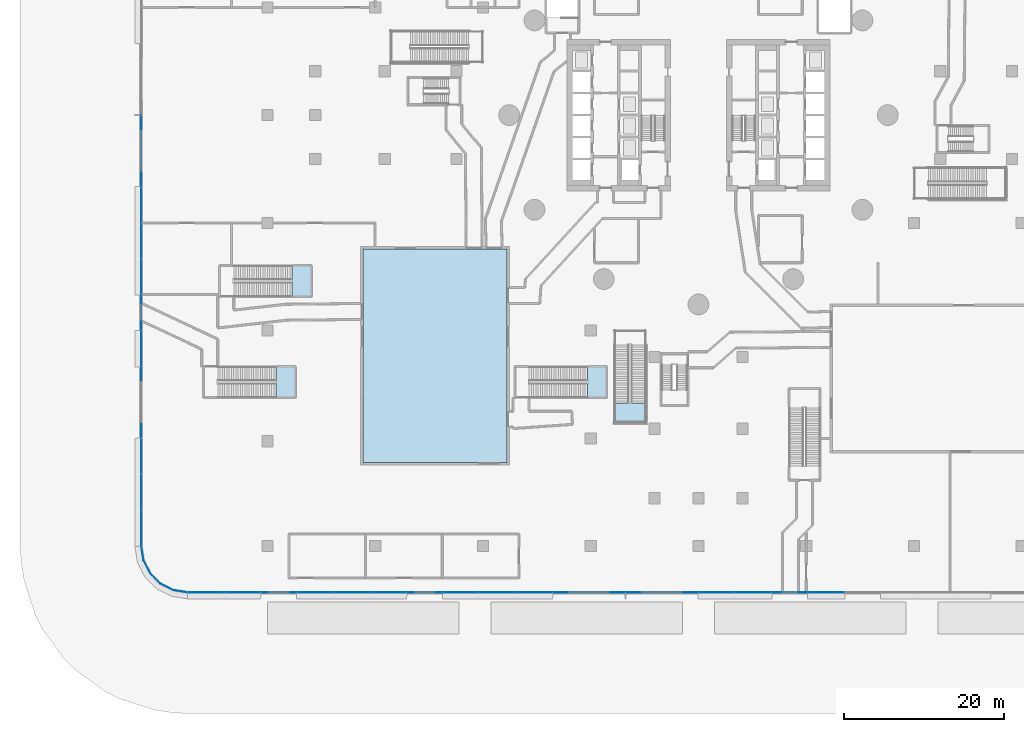
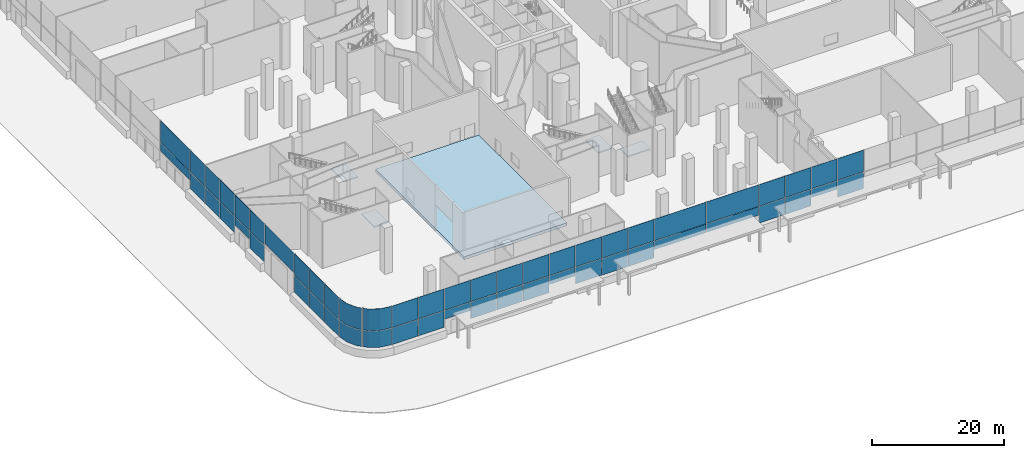
# One storey, part 16 of 54: 55 plates, 5 slabs, 7 elements without a shape of their own.
"""IFC4 building model written with IfcOpenShell, lengths in metres."""

import ifcopenshell
import ifcopenshell.guid

model = None  # the IFC model being written
_history = None  # IfcOwnerHistory: only IFC2X3 demands one
_inside = {}  # id of a spatial element -> (the spatial element, [elements in it])
_under = {}  # id of a project, library or spatial element -> (it, [spatial elements below it])
_declared = {}  # id of a project -> (the project, [libraries it declares])
_typed = {}  # id of a type object -> (the type object, [elements of that type])
_made_of = {}  # id of a material, layer set ... -> (it, [elements and type objects made of it])


def new_model(schema):
    """Start an empty IFC model of exactly this schema.

    Asked for "IFC4X3", IfcOpenShell would pick the latest addendum, in which some entities
    have other attributes; the version numbers below select the first issue.
    IFC2X3 requires an IfcOwnerHistory on every rooted entity: one is made here for all.
    """
    global model, _history
    if schema == "IFC4X3":
        model = ifcopenshell.file(schema_version=(4, 3, 0, 0))
    else:
        model = ifcopenshell.file(schema=schema)
    _inside.clear()
    _under.clear()
    _declared.clear()
    _typed.clear()
    _made_of.clear()
    _history = None
    if model.schema == "IFC2X3":
        org = make("IfcOrganization", Name="unknown")
        user = make(
            "IfcPersonAndOrganization",
            ThePerson=make("IfcPerson", FamilyName="unknown"),
            TheOrganization=org,
        )
        app = make(
            "IfcApplication",
            ApplicationDeveloper=org,
            Version="unknown",
            ApplicationFullName="unknown",
            ApplicationIdentifier="unknown",
        )
        _history = make(
            "IfcOwnerHistory",
            OwningUser=user,
            OwningApplication=app,
            ChangeAction="ADDED",
            CreationDate=0,
        )
    return model


def make(cls, **values):
    """One entity of the class cls with the attributes given. An attribute that is None is left unset."""
    return model.create_entity(
        cls, **{name: value for name, value in values.items() if value is not None}
    )


def rooted(cls, **values):
    """An entity with a GlobalId (a new one), such as an element, a storey or a relation."""
    return make(cls, GlobalId=ifcopenshell.guid.new(), OwnerHistory=_history, **values)


def si_unit(unit_type, name, prefix=None):
    """IfcSIUnit, for example si_unit("LENGTHUNIT", "METRE", prefix="MILLI")."""
    return make("IfcSIUnit", UnitType=unit_type, Prefix=prefix, Name=name)


def assignment(units):
    """IfcUnitAssignment: the units of a project."""
    return None if units is None else make("IfcUnitAssignment", Units=units)


def point(xyz):
    """IfcCartesianPoint."""
    return None if xyz is None else make("IfcCartesianPoint", Coordinates=xyz)


def direction(xyz):
    """IfcDirection."""
    return None if xyz is None else make("IfcDirection", DirectionRatios=xyz)


def frame(location, z_axis=None, x_axis=None):
    """IfcAxis2Placement3D, a coordinate frame: its origin and axes. An axis left out is left unset."""
    return make(
        "IfcAxis2Placement3D",
        Location=point(location),
        Axis=direction(z_axis),
        RefDirection=direction(x_axis),
    )


def origin():
    """The frame at (0, 0, 0) with its axes left unset."""
    return frame((0.0, 0.0, 0.0))


def place(relative_to, where):
    """IfcLocalPlacement: puts the frame where relative to a parent placement (None: the world)."""
    return make(
        "IfcLocalPlacement", PlacementRelTo=relative_to, RelativePlacement=where
    )


def context(
    kind, dimensions, precision=None, world=None, true_north=None, identifier=None
):
    """IfcGeometricRepresentationContext, for example the 3D "Model" context."""
    return make(
        "IfcGeometricRepresentationContext",
        ContextIdentifier=identifier,
        ContextType=kind,
        CoordinateSpaceDimension=dimensions,
        Precision=precision,
        WorldCoordinateSystem=world,
        TrueNorth=true_north,
    )


def subcontext(parent, identifier, kind, view, scale=None):
    """IfcGeometricRepresentationSubContext, for example "Body" below "Model"."""
    return make(
        "IfcGeometricRepresentationSubContext",
        ContextIdentifier=identifier,
        ContextType=kind,
        ParentContext=parent,
        TargetScale=scale,
        TargetView=view,
    )


def project(units=None, contexts=None):
    """IfcProject with its units and contexts."""
    return rooted(
        "IfcProject",
        Name="project",
        RepresentationContexts=contexts,
        UnitsInContext=assignment(units),
    )


def spatial(cls, under=None, at=None, **own):
    """A site, building, storey or space (cls), placed at a placement, below another one or the project."""
    s = rooted(cls, ObjectPlacement=at, **own)
    if under is not None:
        _under.setdefault(under.id(), (under, []))[1].append(s)
    return s


def polyline(points):
    """IfcPolyline through the points."""
    return make("IfcPolyline", Points=[point(p) for p in points])


def outline(outer, holes=None, kind="AREA"):
    """IfcArbitraryClosedProfileDef: a profile drawn as a closed curve; with holes, ...WithVoids."""
    if holes is None:
        return make("IfcArbitraryClosedProfileDef", ProfileType=kind, OuterCurve=outer)
    return make(
        "IfcArbitraryProfileDefWithVoids",
        ProfileType=kind,
        OuterCurve=outer,
        InnerCurves=holes,
    )


def extrude(swept, where, along, depth):
    """IfcExtrudedAreaSolid: the profile swept, set in the frame where, extruded along a direction by depth."""
    return make(
        "IfcExtrudedAreaSolid",
        SweptArea=swept,
        Position=where,
        ExtrudedDirection=direction(along),
        Depth=depth,
    )


def shape(context_of_items, identifier, shape_type, items):
    """IfcShapeRepresentation: the items that make up one representation, for example the "Body"."""
    return make(
        "IfcShapeRepresentation",
        ContextOfItems=context_of_items,
        RepresentationIdentifier=identifier,
        RepresentationType=shape_type,
        Items=items,
    )


def material(Name=None, Category=None):
    """IfcMaterial."""
    return make("IfcMaterial", Name=Name, Category=Category)


def layer(
    of_material, thickness, ventilated=None, Name=None, Category=None, Priority=None
):
    """IfcMaterialLayer: one layer of a wall or slab, of a material (None: an air gap)."""
    return make(
        "IfcMaterialLayer",
        Material=of_material,
        LayerThickness=thickness,
        IsVentilated=ventilated,
        Name=Name,
        Category=Category,
        Priority=Priority,
    )


def layer_set(layers, Name=None):
    """IfcMaterialLayerSet."""
    return make("IfcMaterialLayerSet", MaterialLayers=layers, LayerSetName=Name)


def made_of(thing, what):
    """Note that an element or type object is made of a material, layer set ...; save() writes the relation."""
    if what is not None:
        _made_of.setdefault(what.id(), (what, []))[1].append(thing)
    return thing


def type_object(cls, material=None, **own):
    """A type object (cls), such as IfcWallType, which elements share."""
    return made_of(rooted(cls, **own), material)


def element(
    cls,
    number,
    at=None,
    inside=None,
    cuts=None,
    type_object=None,
    material=None,
    context=None,
    identifier="Body",
    shape_type=None,
    held_by="IfcProductDefinitionShape",
    body=None,
    shapes=None,
    **own,
):
    """One element of the class cls, such as IfcWall. Its Tag is "e" and its number.

    at: its placement. inside: the storey or other place that contains it. cuts: it is an
    opening in that element (IfcRelVoidsElement). A single representation is given by context,
    identifier, shape_type and body (its items); several are given by shapes. held_by: the class
    of the entity that holds the representations. save() writes the other relations.
    """
    e = rooted(cls, Tag="e%d" % number, ObjectPlacement=at, **own)
    if body is not None:
        shapes = [shape(context, identifier, shape_type, body)]
    if shapes is not None:
        e.Representation = make(held_by, Representations=shapes)
    if inside is not None:
        _inside.setdefault(inside.id(), (inside, []))[1].append(e)
    if cuts is not None:
        rooted(
            "IfcRelVoidsElement", RelatingBuildingElement=cuts, RelatedOpeningElement=e
        )
    if type_object is not None:
        _typed.setdefault(type_object.id(), (type_object, []))[1].append(e)
    return made_of(e, material)


def aggregate(whole, parts):
    """IfcRelAggregates: a whole, such as a stair, and the parts it consists of."""
    return rooted("IfcRelAggregates", RelatingObject=whole, RelatedObjects=parts)


def save(model, path):
    """Write the relations noted so far, then the file.

    IfcRelAggregates (storeys below a building ...), IfcRelContainedInSpatialStructure (elements
    in a storey), IfcRelDefinesByType, IfcRelAssociatesMaterial and IfcRelDeclares: one each for
    every whole, place, type object, material and project.
    """
    for whole, parts in _under.values():
        aggregate(whole, parts)
    for where, things in _inside.values():
        rooted(
            "IfcRelContainedInSpatialStructure",
            RelatedElements=things,
            RelatingStructure=where,
        )
    for kind, things in _typed.values():
        rooted("IfcRelDefinesByType", RelatedObjects=things, RelatingType=kind)
    for what, things in _made_of.values():
        rooted("IfcRelAssociatesMaterial", RelatedObjects=things, RelatingMaterial=what)
    for by, libraries in _declared.values():
        rooted("IfcRelDeclares", RelatingContext=by, RelatedDefinitions=libraries)
    model.write(path)


model = new_model("IFC4")

# Units and contexts
model_context = context("Model", 3, precision=1e-05, world=origin(), true_north=direction((0.0, 1.0)))
body_context = subcontext(model_context, "Body", "Model", "MODEL_VIEW")
ifc_project = project(units=[si_unit("LENGTHUNIT", "METRE"), si_unit("AREAUNIT", "SQUARE_METRE"), si_unit("VOLUMEUNIT", "CUBIC_METRE"), si_unit("PLANEANGLEUNIT", "RADIAN"), si_unit("MASSUNIT", "GRAM", prefix="KILO")], contexts=[model_context])

# Site, building, storey
site_placement = place(None, origin())
site = spatial("IfcSite", under=ifc_project, at=site_placement, CompositionType="ELEMENT")
building_placement = place(site_placement, origin())
building = spatial("IfcBuilding", under=site, at=building_placement, Name="Tamarind Cross Interchange Tower", CompositionType="ELEMENT")
storey_placement = place(building_placement, origin())
storey = spatial("IfcBuildingStorey", under=building, at=storey_placement, Name="L00", CompositionType="ELEMENT", Elevation=0.0)

# Slab
ifc_material_1 = material(Name="Concrete C40", Category="concrete")
ifc_layer_1 = layer(ifc_material_1, 0.550048828125)
ifc_layer_set_1 = layer_set([ifc_layer_1], Name="Concrete C40")
slab_type_1 = type_object("IfcSlabType", Name="Post-tensioned flat slab 550 Concrete C40", PredefinedType="FLOOR", material=ifc_layer_set_1)
slab_1_placement = place(storey_placement, frame((0.0, 0.0, -0.550048828125)))
element("IfcSlab", 1, at=slab_1_placement, inside=storey, type_object=slab_type_1, Name="Fire court SW floor slab", PredefinedType="FLOOR", context=body_context, shape_type="SweptSolid", body=[
    extrude(outline(polyline([(-42.0, -43.5), (-24.0, -43.5), (-24.0, -16.800048828125), (-42.0, -16.800048828125), (-42.0, -43.5)])), origin(), (0.0, 0.0, 1.0), 0.550048828125),
])

# Stair, slab
ifc_material_2 = material(Name="Public stair")
stair_type = type_object("IfcStairType", Name="Public stair", PredefinedType="HALF_TURN_STAIR", material=ifc_material_2)
stair_1_placement = place(storey_placement, origin())
stair_1 = element("IfcStair", 2, at=stair_1_placement, inside=storey, type_object=stair_type, Name="L00 public stair PS-S", PredefinedType="HALF_TURN_STAIR")
ifc_layer_2 = layer(ifc_material_1, 0.199951171875)
ifc_layer_set_2 = layer_set([ifc_layer_2], Name="Concrete C40")
slab_type_2 = type_object("IfcSlabType", Name="Public stair landing", PredefinedType="LANDING", material=ifc_layer_set_2)
slab_2_placement = place(storey_placement, frame((0.0, 0.0, 4.300048828125)))
slab_2 = element("IfcSlab", 3, at=slab_2_placement, type_object=slab_type_2, Name="PS-S landing 1", PredefinedType="LANDING", context=body_context, shape_type="SweptSolid", body=[
    extrude(outline(polyline([(-10.5, -36.080078125), (-10.5, -38.5), (-6.60009765625, -38.5), (-6.60009765625, -36.080078125), (-10.5, -36.080078125)])), origin(), (0.0, 0.0, 1.0), 0.199951171875),
])
aggregate(stair_1, [slab_2])

stair_2_placement = place(storey_placement, origin())
stair_2 = element("IfcStair", 4, at=stair_2_placement, inside=storey, type_object=stair_type, Name="L00 exit stair XS-P07", PredefinedType="HALF_TURN_STAIR")
slab_3_placement = place(storey_placement, frame((0.0, 0.0, 4.300048828125)))
slab_3 = element("IfcSlab", 5, at=slab_3_placement, type_object=slab_type_2, Name="XS-P07 landing 1", PredefinedType="LANDING", context=body_context, shape_type="SweptSolid", body=[
    extrude(outline(polyline([(-52.919921875, -35.39990234375), (-50.5, -35.39990234375), (-50.5, -31.5), (-52.919921875, -31.5), (-52.919921875, -35.39990234375)])), origin(), (0.0, 0.0, 1.0), 0.199951171875),
])
aggregate(stair_2, [slab_3])

stair_3_placement = place(storey_placement, origin())
stair_3 = element("IfcStair", 6, at=stair_3_placement, inside=storey, type_object=stair_type, Name="L00 exit stair XS-P08", PredefinedType="HALF_TURN_STAIR")
slab_4_placement = place(storey_placement, frame((0.0, 0.0, 4.300048828125)))
slab_4 = element("IfcSlab", 7, at=slab_4_placement, type_object=slab_type_2, Name="XS-P08 landing 1", PredefinedType="LANDING", context=body_context, shape_type="SweptSolid", body=[
    extrude(outline(polyline([(-50.919921875, -22.75), (-48.5, -22.75), (-48.5, -18.85009765625), (-50.919921875, -18.85009765625), (-50.919921875, -22.75)])), origin(), (0.0, 0.0, 1.0), 0.199951171875),
])
aggregate(stair_3, [slab_4])

stair_4_placement = place(storey_placement, origin())
stair_4 = element("IfcStair", 8, at=stair_4_placement, inside=storey, type_object=stair_type, Name="L00 exit stair XS-P09", PredefinedType="HALF_TURN_STAIR")
slab_5_placement = place(storey_placement, frame((0.0, 0.0, 4.300048828125)))
slab_5 = element("IfcSlab", 9, at=slab_5_placement, type_object=slab_type_2, Name="XS-P09 landing 1", PredefinedType="LANDING", context=body_context, shape_type="SweptSolid", body=[
    extrude(outline(polyline([(-13.919921875, -35.39990234375), (-11.5, -35.39990234375), (-11.5, -31.5), (-13.919921875, -31.5), (-13.919921875, -35.39990234375)])), origin(), (0.0, 0.0, 1.0), 0.199951171875),
])
aggregate(stair_4, [slab_5])

# Curtain wall, plates
ifc_material_3 = material(Name="Aluminium 6063-T6", Category="aluminium")
ifc_layer_3 = layer(ifc_material_3, 0.199951171875)
ifc_layer_set_3 = layer_set([ifc_layer_3], Name="Aluminium 6063-T6")
curtain_wall_type = type_object("IfcCurtainWallType", Name="Podium shopfront and station curtain wall", PredefinedType="NOTDEFINED", material=ifc_layer_set_3)
curtain_wall_1_placement = place(storey_placement, origin())
curtain_wall_1 = element("IfcCurtainWall", 10, at=curtain_wall_1_placement, inside=storey, type_object=curtain_wall_type, Name="CWS-L00-04", PredefinedType="NOTDEFINED")
ifc_material_4 = material(Name="Toughened low-e glass 10+12+10", Category="glass")
ifc_layer_4 = layer(ifc_material_4, 0.031982421875)
ifc_layer_set_4 = layer_set([ifc_layer_4], Name="Toughened low-e glass 10+12+10")
plate_type = type_object("IfcPlateType", Name="Vision panel CW3", PredefinedType="CURTAIN_PANEL", material=ifc_layer_set_4)
plate_1_placement = place(storey_placement, frame((0.0, 0.0, 2.89990234375)))
plate_1 = element("IfcPlate", 11, at=plate_1_placement, type_object=plate_type, Name="CWP-L00-04-12-0", PredefinedType="CURTAIN_PANEL", context=body_context, shape_type="SweptSolid", body=[
    extrude(outline(polyline([(-69.783935546875, -0.0400390625), (-69.783935546875, -8.957275390625), (-69.81591796875, -8.957275390625), (-69.81591796875, -0.0400390625), (-69.783935546875, -0.0400390625)])), origin(), (0.0, 0.0, 1.0), 1.570068359375),
])
plate_2_placement = place(storey_placement, frame((0.0, 0.0, 4.530029296875)))
plate_2 = element("IfcPlate", 12, at=plate_2_placement, type_object=plate_type, Name="CWP-L00-04-12-1", PredefinedType="CURTAIN_PANEL", context=body_context, shape_type="SweptSolid", body=[
    extrude(outline(polyline([(-69.783935546875, -0.0400390625), (-69.783935546875, -8.957275390625), (-69.81591796875, -8.957275390625), (-69.81591796875, -0.0400390625), (-69.783935546875, -0.0400390625)])), origin(), (0.0, 0.0, 1.0), 3.969970703125),
])
plate_3_placement = place(storey_placement, frame((0.0, 0.0, 1.39990234375)))
plate_3 = element("IfcPlate", 13, at=plate_3_placement, type_object=plate_type, Name="CWP-L00-04-14-0", PredefinedType="CURTAIN_PANEL", context=body_context, shape_type="SweptSolid", body=[
    extrude(outline(polyline([(-69.783935546875, -9.037353515625), (-69.783935546875, -13.4560546875), (-69.81591796875, -13.4560546875), (-69.81591796875, -9.037353515625), (-69.783935546875, -9.037353515625)])), origin(), (0.0, 0.0, 1.0), 3.070068359375),
])
plate_4_placement = place(storey_placement, frame((0.0, 0.0, 4.530029296875)))
plate_4 = element("IfcPlate", 14, at=plate_4_placement, type_object=plate_type, Name="CWP-L00-04-14-1", PredefinedType="CURTAIN_PANEL", context=body_context, shape_type="SweptSolid", body=[
    extrude(outline(polyline([(-69.783935546875, -9.037353515625), (-69.783935546875, -13.4560546875), (-69.81591796875, -13.4560546875), (-69.81591796875, -9.037353515625), (-69.783935546875, -9.037353515625)])), origin(), (0.0, 0.0, 1.0), 3.969970703125),
])
plate_5_placement = place(storey_placement, frame((0.0, 0.0, 1.39990234375)))
plate_5 = element("IfcPlate", 15, at=plate_5_placement, type_object=plate_type, Name="CWP-L00-04-15-0", PredefinedType="CURTAIN_PANEL", context=body_context, shape_type="SweptSolid", body=[
    extrude(outline(polyline([(-69.783935546875, -13.5361328125), (-69.783935546875, -17.954833984375), (-69.81591796875, -17.954833984375), (-69.81591796875, -13.5361328125), (-69.783935546875, -13.5361328125)])), origin(), (0.0, 0.0, 1.0), 3.070068359375),
])
plate_6_placement = place(storey_placement, frame((0.0, 0.0, 4.530029296875)))
plate_6 = element("IfcPlate", 16, at=plate_6_placement, type_object=plate_type, Name="CWP-L00-04-15-1", PredefinedType="CURTAIN_PANEL", context=body_context, shape_type="SweptSolid", body=[
    extrude(outline(polyline([(-69.783935546875, -13.5361328125), (-69.783935546875, -17.954833984375), (-69.81591796875, -17.954833984375), (-69.81591796875, -13.5361328125), (-69.783935546875, -13.5361328125)])), origin(), (0.0, 0.0, 1.0), 3.969970703125),
])
plate_7_placement = place(storey_placement, frame((0.0, 0.0, 1.39990234375)))
plate_7 = element("IfcPlate", 17, at=plate_7_placement, type_object=plate_type, Name="CWP-L00-04-16-0", PredefinedType="CURTAIN_PANEL", context=body_context, shape_type="SweptSolid", body=[
    extrude(outline(polyline([(-69.783935546875, -18.03466796875), (-69.783935546875, -22.453369140625), (-69.81591796875, -22.453369140625), (-69.81591796875, -18.03466796875), (-69.783935546875, -18.03466796875)])), origin(), (0.0, 0.0, 1.0), 3.070068359375),
])
plate_8_placement = place(storey_placement, frame((0.0, 0.0, 4.530029296875)))
plate_8 = element("IfcPlate", 18, at=plate_8_placement, type_object=plate_type, Name="CWP-L00-04-16-1", PredefinedType="CURTAIN_PANEL", context=body_context, shape_type="SweptSolid", body=[
    extrude(outline(polyline([(-69.783935546875, -18.03466796875), (-69.783935546875, -22.453369140625), (-69.81591796875, -22.453369140625), (-69.81591796875, -18.03466796875), (-69.783935546875, -18.03466796875)])), origin(), (0.0, 0.0, 1.0), 3.969970703125),
])
plate_9_placement = place(storey_placement, frame((0.0, 0.0, 2.89990234375)))
plate_9 = element("IfcPlate", 19, at=plate_9_placement, type_object=plate_type, Name="CWP-L00-04-17-0", PredefinedType="CURTAIN_PANEL", context=body_context, shape_type="SweptSolid", body=[
    extrude(outline(polyline([(-69.783935546875, -22.533447265625), (-69.783935546875, -26.9521484375), (-69.81591796875, -26.9521484375), (-69.81591796875, -22.533447265625), (-69.783935546875, -22.533447265625)])), origin(), (0.0, 0.0, 1.0), 1.570068359375),
])
plate_10_placement = place(storey_placement, frame((0.0, 0.0, 4.530029296875)))
plate_10 = element("IfcPlate", 20, at=plate_10_placement, type_object=plate_type, Name="CWP-L00-04-17-1", PredefinedType="CURTAIN_PANEL", context=body_context, shape_type="SweptSolid", body=[
    extrude(outline(polyline([(-69.783935546875, -22.533447265625), (-69.783935546875, -26.9521484375), (-69.81591796875, -26.9521484375), (-69.81591796875, -22.533447265625), (-69.783935546875, -22.533447265625)])), origin(), (0.0, 0.0, 1.0), 3.969970703125),
])
plate_11_placement = place(storey_placement, frame((0.0, 0.0, 1.39990234375)))
plate_11 = element("IfcPlate", 21, at=plate_11_placement, type_object=plate_type, Name="CWP-L00-04-18-0", PredefinedType="CURTAIN_PANEL", context=body_context, shape_type="SweptSolid", body=[
    extrude(outline(polyline([(-69.783935546875, -27.0322265625), (-69.783935546875, -31.450927734375), (-69.81591796875, -31.450927734375), (-69.81591796875, -27.0322265625), (-69.783935546875, -27.0322265625)])), origin(), (0.0, 0.0, 1.0), 3.070068359375),
])
plate_12_placement = place(storey_placement, frame((0.0, 0.0, 4.530029296875)))
plate_12 = element("IfcPlate", 22, at=plate_12_placement, type_object=plate_type, Name="CWP-L00-04-18-1", PredefinedType="CURTAIN_PANEL", context=body_context, shape_type="SweptSolid", body=[
    extrude(outline(polyline([(-69.783935546875, -27.0322265625), (-69.783935546875, -31.450927734375), (-69.81591796875, -31.450927734375), (-69.81591796875, -27.0322265625), (-69.783935546875, -27.0322265625)])), origin(), (0.0, 0.0, 1.0), 3.969970703125),
])
plate_13_placement = place(storey_placement, frame((0.0, 0.0, 4.89990234375)))
plate_13 = element("IfcPlate", 23, at=plate_13_placement, type_object=plate_type, Name="CWP-L00-04-19", PredefinedType="CURTAIN_PANEL", context=body_context, shape_type="SweptSolid", body=[
    extrude(outline(polyline([(-69.783935546875, -31.53076171875), (-69.783935546875, -40.4482421875), (-69.81591796875, -40.4482421875), (-69.81591796875, -31.53076171875), (-69.783935546875, -31.53076171875)])), origin(), (0.0, 0.0, 1.0), 3.60009765625),
])
plate_14_placement = place(storey_placement, frame((0.0, 0.0, 1.39990234375)))
plate_14 = element("IfcPlate", 24, at=plate_14_placement, type_object=plate_type, Name="CWP-L00-04-21-0", PredefinedType="CURTAIN_PANEL", context=body_context, shape_type="SweptSolid", body=[
    extrude(outline(polyline([(-69.783935546875, -40.528076171875), (-69.783935546875, -44.94677734375), (-69.81591796875, -44.94677734375), (-69.81591796875, -40.528076171875), (-69.783935546875, -40.528076171875)])), origin(), (0.0, 0.0, 1.0), 3.070068359375),
])
plate_15_placement = place(storey_placement, frame((0.0, 0.0, 4.530029296875)))
plate_15 = element("IfcPlate", 25, at=plate_15_placement, type_object=plate_type, Name="CWP-L00-04-21-1", PredefinedType="CURTAIN_PANEL", context=body_context, shape_type="SweptSolid", body=[
    extrude(outline(polyline([(-69.783935546875, -40.528076171875), (-69.783935546875, -44.94677734375), (-69.81591796875, -44.94677734375), (-69.81591796875, -40.528076171875), (-69.783935546875, -40.528076171875)])), origin(), (0.0, 0.0, 1.0), 3.969970703125),
])
plate_16_placement = place(storey_placement, frame((0.0, 0.0, 1.39990234375)))
plate_16 = element("IfcPlate", 26, at=plate_16_placement, type_object=plate_type, Name="CWP-L00-04-22-0", PredefinedType="CURTAIN_PANEL", context=body_context, shape_type="SweptSolid", body=[
    extrude(outline(polyline([(-69.783935546875, -45.02685546875), (-69.783935546875, -49.445556640625), (-69.81591796875, -49.445556640625), (-69.81591796875, -45.02685546875), (-69.783935546875, -45.02685546875)])), origin(), (0.0, 0.0, 1.0), 3.070068359375),
])
plate_17_placement = place(storey_placement, frame((0.0, 0.0, 4.530029296875)))
plate_17 = element("IfcPlate", 27, at=plate_17_placement, type_object=plate_type, Name="CWP-L00-04-22-1", PredefinedType="CURTAIN_PANEL", context=body_context, shape_type="SweptSolid", body=[
    extrude(outline(polyline([(-69.783935546875, -45.02685546875), (-69.783935546875, -49.445556640625), (-69.81591796875, -49.445556640625), (-69.81591796875, -45.02685546875), (-69.783935546875, -45.02685546875)])), origin(), (0.0, 0.0, 1.0), 3.969970703125),
])
plate_18_placement = place(storey_placement, frame((0.0, 0.0, 1.39990234375)))
plate_18 = element("IfcPlate", 28, at=plate_18_placement, type_object=plate_type, Name="CWP-L00-04-23-0", PredefinedType="CURTAIN_PANEL", context=body_context, shape_type="SweptSolid", body=[
    extrude(outline(polyline([(-69.783935546875, -49.525634765625), (-69.783935546875, -53.9443359375), (-69.81591796875, -53.9443359375), (-69.81591796875, -49.525634765625), (-69.783935546875, -49.525634765625)])), origin(), (0.0, 0.0, 1.0), 3.070068359375),
])
plate_19_placement = place(storey_placement, frame((0.0, 0.0, 4.530029296875)))
plate_19 = element("IfcPlate", 29, at=plate_19_placement, type_object=plate_type, Name="CWP-L00-04-23-1", PredefinedType="CURTAIN_PANEL", context=body_context, shape_type="SweptSolid", body=[
    extrude(outline(polyline([(-69.783935546875, -49.525634765625), (-69.783935546875, -53.9443359375), (-69.81591796875, -53.9443359375), (-69.81591796875, -49.525634765625), (-69.783935546875, -49.525634765625)])), origin(), (0.0, 0.0, 1.0), 3.969970703125),
])
aggregate(curtain_wall_1, [plate_1, plate_2, plate_3, plate_4, plate_5, plate_6, plate_7, plate_8, plate_9, plate_10, plate_11, plate_12, plate_13, plate_14, plate_15, plate_16, plate_17, plate_18, plate_19])

curtain_wall_2_placement = place(storey_placement, origin())
curtain_wall_2 = element("IfcCurtainWall", 30, at=curtain_wall_2_placement, inside=storey, type_object=curtain_wall_type, Name="CWS-L00-05", PredefinedType="NOTDEFINED")
plate_20_placement = place(storey_placement, frame((0.0, 0.0, 1.39990234375)))
plate_20 = element("IfcPlate", 31, at=plate_20_placement, type_object=plate_type, Name="CWP-L00-05-00-0", PredefinedType="CURTAIN_PANEL", context=body_context, shape_type="SweptSolid", body=[
    extrude(outline(polyline([(-69.77783203125, -54.021240234375), (-69.498291015625, -55.78662109375), (-68.67724609375, -57.398193359375), (-68.06591796875, -58.00927734375), (-68.088623046875, -58.031982421875), (-68.703369140625, -57.417236328125), (-69.529052734375, -55.796630859375), (-69.8095703125, -54.0263671875), (-69.77783203125, -54.021240234375)])), origin(), (0.0, 0.0, 1.0), 3.070068359375),
])
plate_21_placement = place(storey_placement, frame((0.0, 0.0, 4.530029296875)))
plate_21 = element("IfcPlate", 32, at=plate_21_placement, type_object=plate_type, Name="CWP-L00-05-00-1", PredefinedType="CURTAIN_PANEL", context=body_context, shape_type="SweptSolid", body=[
    extrude(outline(polyline([(-69.77783203125, -54.021240234375), (-69.498291015625, -55.78662109375), (-68.67724609375, -57.398193359375), (-68.06591796875, -58.00927734375), (-68.088623046875, -58.031982421875), (-68.703369140625, -57.417236328125), (-69.529052734375, -55.796630859375), (-69.8095703125, -54.0263671875), (-69.77783203125, -54.021240234375)])), origin(), (0.0, 0.0, 1.0), 3.969970703125),
])
plate_22_placement = place(storey_placement, frame((0.0, 0.0, 1.39990234375)))
plate_22 = element("IfcPlate", 33, at=plate_22_placement, type_object=plate_type, Name="CWP-L00-05-01-0", PredefinedType="CURTAIN_PANEL", context=body_context, shape_type="SweptSolid", body=[
    extrude(outline(polyline([(-68.00927734375, -58.06591796875), (-67.398193359375, -58.67724609375), (-65.78662109375, -59.498291015625), (-64.021240234375, -59.77783203125), (-64.0263671875, -59.8095703125), (-65.796630859375, -59.529052734375), (-67.417236328125, -58.703369140625), (-68.031982421875, -58.088623046875), (-68.00927734375, -58.06591796875)])), origin(), (0.0, 0.0, 1.0), 3.070068359375),
])
plate_23_placement = place(storey_placement, frame((0.0, 0.0, 4.530029296875)))
plate_23 = element("IfcPlate", 34, at=plate_23_placement, type_object=plate_type, Name="CWP-L00-05-01-1", PredefinedType="CURTAIN_PANEL", context=body_context, shape_type="SweptSolid", body=[
    extrude(outline(polyline([(-68.00927734375, -58.06591796875), (-67.398193359375, -58.67724609375), (-65.78662109375, -59.498291015625), (-64.021240234375, -59.77783203125), (-64.0263671875, -59.8095703125), (-65.796630859375, -59.529052734375), (-67.417236328125, -58.703369140625), (-68.031982421875, -58.088623046875), (-68.00927734375, -58.06591796875)])), origin(), (0.0, 0.0, 1.0), 3.969970703125),
])
aggregate(curtain_wall_2, [plate_20, plate_21, plate_22, plate_23])

curtain_wall_3_placement = place(storey_placement, origin())
curtain_wall_3 = element("IfcCurtainWall", 35, at=curtain_wall_3_placement, inside=storey, type_object=curtain_wall_type, Name="CWS-L00-06", PredefinedType="NOTDEFINED")
plate_24_placement = place(storey_placement, frame((0.0, 0.0, 1.39990234375)))
plate_24 = element("IfcPlate", 36, at=plate_24_placement, type_object=plate_type, Name="CWP-L00-06-00-0", PredefinedType="CURTAIN_PANEL", context=body_context, shape_type="SweptSolid", body=[
    extrude(outline(polyline([(-63.9443359375, -59.783935546875), (-59.453857421875, -59.783935546875), (-59.453857421875, -59.81591796875), (-63.9443359375, -59.81591796875), (-63.9443359375, -59.783935546875)])), origin(), (0.0, 0.0, 1.0), 3.070068359375),
])
plate_25_placement = place(storey_placement, frame((0.0, 0.0, 4.530029296875)))
plate_25 = element("IfcPlate", 37, at=plate_25_placement, type_object=plate_type, Name="CWP-L00-06-00-1", PredefinedType="CURTAIN_PANEL", context=body_context, shape_type="SweptSolid", body=[
    extrude(outline(polyline([(-63.9443359375, -59.783935546875), (-59.453857421875, -59.783935546875), (-59.453857421875, -59.81591796875), (-63.9443359375, -59.81591796875), (-63.9443359375, -59.783935546875)])), origin(), (0.0, 0.0, 1.0), 3.969970703125),
])
plate_26_placement = place(storey_placement, frame((0.0, 0.0, 1.39990234375)))
plate_26 = element("IfcPlate", 38, at=plate_26_placement, type_object=plate_type, Name="CWP-L00-06-01-0", PredefinedType="CURTAIN_PANEL", context=body_context, shape_type="SweptSolid", body=[
    extrude(outline(polyline([(-59.3740234375, -59.783935546875), (-54.883544921875, -59.783935546875), (-54.883544921875, -59.81591796875), (-59.3740234375, -59.81591796875), (-59.3740234375, -59.783935546875)])), origin(), (0.0, 0.0, 1.0), 3.070068359375),
])
plate_27_placement = place(storey_placement, frame((0.0, 0.0, 4.530029296875)))
plate_27 = element("IfcPlate", 39, at=plate_27_placement, type_object=plate_type, Name="CWP-L00-06-01-1", PredefinedType="CURTAIN_PANEL", context=body_context, shape_type="SweptSolid", body=[
    extrude(outline(polyline([(-59.3740234375, -59.783935546875), (-54.883544921875, -59.783935546875), (-54.883544921875, -59.81591796875), (-59.3740234375, -59.81591796875), (-59.3740234375, -59.783935546875)])), origin(), (0.0, 0.0, 1.0), 3.969970703125),
])
plate_28_placement = place(storey_placement, frame((0.0, 0.0, 2.89990234375)))
plate_28 = element("IfcPlate", 40, at=plate_28_placement, type_object=plate_type, Name="CWP-L00-06-02-0", PredefinedType="CURTAIN_PANEL", context=body_context, shape_type="SweptSolid", body=[
    extrude(outline(polyline([(-54.8037109375, -59.783935546875), (-50.313232421875, -59.783935546875), (-50.313232421875, -59.81591796875), (-54.8037109375, -59.81591796875), (-54.8037109375, -59.783935546875)])), origin(), (0.0, 0.0, 1.0), 1.570068359375),
])
plate_29_placement = place(storey_placement, frame((0.0, 0.0, 4.530029296875)))
plate_29 = element("IfcPlate", 41, at=plate_29_placement, type_object=plate_type, Name="CWP-L00-06-02-1", PredefinedType="CURTAIN_PANEL", context=body_context, shape_type="SweptSolid", body=[
    extrude(outline(polyline([(-54.8037109375, -59.783935546875), (-50.313232421875, -59.783935546875), (-50.313232421875, -59.81591796875), (-54.8037109375, -59.81591796875), (-54.8037109375, -59.783935546875)])), origin(), (0.0, 0.0, 1.0), 3.969970703125),
])
plate_30_placement = place(storey_placement, frame((0.0, 0.0, 1.39990234375)))
plate_30 = element("IfcPlate", 42, at=plate_30_placement, type_object=plate_type, Name="CWP-L00-06-03-0", PredefinedType="CURTAIN_PANEL", context=body_context, shape_type="SweptSolid", body=[
    extrude(outline(polyline([(-50.2333984375, -59.783935546875), (-45.7431640625, -59.783935546875), (-45.7431640625, -59.81591796875), (-50.2333984375, -59.81591796875), (-50.2333984375, -59.783935546875)])), origin(), (0.0, 0.0, 1.0), 3.070068359375),
])
plate_31_placement = place(storey_placement, frame((0.0, 0.0, 4.530029296875)))
plate_31 = element("IfcPlate", 43, at=plate_31_placement, type_object=plate_type, Name="CWP-L00-06-03-1", PredefinedType="CURTAIN_PANEL", context=body_context, shape_type="SweptSolid", body=[
    extrude(outline(polyline([(-50.2333984375, -59.783935546875), (-45.7431640625, -59.783935546875), (-45.7431640625, -59.81591796875), (-50.2333984375, -59.81591796875), (-50.2333984375, -59.783935546875)])), origin(), (0.0, 0.0, 1.0), 3.969970703125),
])
plate_32_placement = place(storey_placement, frame((0.0, 0.0, 1.39990234375)))
plate_32 = element("IfcPlate", 44, at=plate_32_placement, type_object=plate_type, Name="CWP-L00-06-04-0", PredefinedType="CURTAIN_PANEL", context=body_context, shape_type="SweptSolid", body=[
    extrude(outline(polyline([(-45.6630859375, -59.783935546875), (-41.1728515625, -59.783935546875), (-41.1728515625, -59.81591796875), (-45.6630859375, -59.81591796875), (-45.6630859375, -59.783935546875)])), origin(), (0.0, 0.0, 1.0), 3.070068359375),
])
plate_33_placement = place(storey_placement, frame((0.0, 0.0, 4.530029296875)))
plate_33 = element("IfcPlate", 45, at=plate_33_placement, type_object=plate_type, Name="CWP-L00-06-04-1", PredefinedType="CURTAIN_PANEL", context=body_context, shape_type="SweptSolid", body=[
    extrude(outline(polyline([(-45.6630859375, -59.783935546875), (-41.1728515625, -59.783935546875), (-41.1728515625, -59.81591796875), (-45.6630859375, -59.81591796875), (-45.6630859375, -59.783935546875)])), origin(), (0.0, 0.0, 1.0), 3.969970703125),
])
plate_34_placement = place(storey_placement, frame((0.0, 0.0, 1.39990234375)))
plate_34 = element("IfcPlate", 46, at=plate_34_placement, type_object=plate_type, Name="CWP-L00-06-05-0", PredefinedType="CURTAIN_PANEL", context=body_context, shape_type="SweptSolid", body=[
    extrude(outline(polyline([(-41.0927734375, -59.783935546875), (-36.6025390625, -59.783935546875), (-36.6025390625, -59.81591796875), (-41.0927734375, -59.81591796875), (-41.0927734375, -59.783935546875)])), origin(), (0.0, 0.0, 1.0), 3.070068359375),
])
plate_35_placement = place(storey_placement, frame((0.0, 0.0, 4.530029296875)))
plate_35 = element("IfcPlate", 47, at=plate_35_placement, type_object=plate_type, Name="CWP-L00-06-05-1", PredefinedType="CURTAIN_PANEL", context=body_context, shape_type="SweptSolid", body=[
    extrude(outline(polyline([(-41.0927734375, -59.783935546875), (-36.6025390625, -59.783935546875), (-36.6025390625, -59.81591796875), (-41.0927734375, -59.81591796875), (-41.0927734375, -59.783935546875)])), origin(), (0.0, 0.0, 1.0), 3.969970703125),
])
plate_36_placement = place(storey_placement, frame((0.0, 0.0, 2.89990234375)))
plate_36 = element("IfcPlate", 48, at=plate_36_placement, type_object=plate_type, Name="CWP-L00-06-06-0", PredefinedType="CURTAIN_PANEL", context=body_context, shape_type="SweptSolid", body=[
    extrude(outline(polyline([(-36.5224609375, -59.783935546875), (-32.0322265625, -59.783935546875), (-32.0322265625, -59.81591796875), (-36.5224609375, -59.81591796875), (-36.5224609375, -59.783935546875)])), origin(), (0.0, 0.0, 1.0), 1.570068359375),
])
plate_37_placement = place(storey_placement, frame((0.0, 0.0, 4.530029296875)))
plate_37 = element("IfcPlate", 49, at=plate_37_placement, type_object=plate_type, Name="CWP-L00-06-06-1", PredefinedType="CURTAIN_PANEL", context=body_context, shape_type="SweptSolid", body=[
    extrude(outline(polyline([(-36.5224609375, -59.783935546875), (-32.0322265625, -59.783935546875), (-32.0322265625, -59.81591796875), (-36.5224609375, -59.81591796875), (-36.5224609375, -59.783935546875)])), origin(), (0.0, 0.0, 1.0), 3.969970703125),
])
plate_38_placement = place(storey_placement, frame((0.0, 0.0, 1.39990234375)))
plate_38 = element("IfcPlate", 50, at=plate_38_placement, type_object=plate_type, Name="CWP-L00-06-07-0", PredefinedType="CURTAIN_PANEL", context=body_context, shape_type="SweptSolid", body=[
    extrude(outline(polyline([(-31.9521484375, -59.783935546875), (-27.4619140625, -59.783935546875), (-27.4619140625, -59.81591796875), (-31.9521484375, -59.81591796875), (-31.9521484375, -59.783935546875)])), origin(), (0.0, 0.0, 1.0), 3.070068359375),
])
plate_39_placement = place(storey_placement, frame((0.0, 0.0, 4.530029296875)))
plate_39 = element("IfcPlate", 51, at=plate_39_placement, type_object=plate_type, Name="CWP-L00-06-07-1", PredefinedType="CURTAIN_PANEL", context=body_context, shape_type="SweptSolid", body=[
    extrude(outline(polyline([(-31.9521484375, -59.783935546875), (-27.4619140625, -59.783935546875), (-27.4619140625, -59.81591796875), (-31.9521484375, -59.81591796875), (-31.9521484375, -59.783935546875)])), origin(), (0.0, 0.0, 1.0), 3.969970703125),
])
plate_40_placement = place(storey_placement, frame((0.0, 0.0, 1.39990234375)))
plate_40 = element("IfcPlate", 52, at=plate_40_placement, type_object=plate_type, Name="CWP-L00-06-08-0", PredefinedType="CURTAIN_PANEL", context=body_context, shape_type="SweptSolid", body=[
    extrude(outline(polyline([(-27.3818359375, -59.783935546875), (-22.8916015625, -59.783935546875), (-22.8916015625, -59.81591796875), (-27.3818359375, -59.81591796875), (-27.3818359375, -59.783935546875)])), origin(), (0.0, 0.0, 1.0), 3.070068359375),
])
plate_41_placement = place(storey_placement, frame((0.0, 0.0, 4.530029296875)))
plate_41 = element("IfcPlate", 53, at=plate_41_placement, type_object=plate_type, Name="CWP-L00-06-08-1", PredefinedType="CURTAIN_PANEL", context=body_context, shape_type="SweptSolid", body=[
    extrude(outline(polyline([(-27.3818359375, -59.783935546875), (-22.8916015625, -59.783935546875), (-22.8916015625, -59.81591796875), (-27.3818359375, -59.81591796875), (-27.3818359375, -59.783935546875)])), origin(), (0.0, 0.0, 1.0), 3.969970703125),
])
plate_42_placement = place(storey_placement, frame((0.0, 0.0, 1.39990234375)))
plate_42 = element("IfcPlate", 54, at=plate_42_placement, type_object=plate_type, Name="CWP-L00-06-09-0", PredefinedType="CURTAIN_PANEL", context=body_context, shape_type="SweptSolid", body=[
    extrude(outline(polyline([(-22.8115234375, -59.783935546875), (-18.3212890625, -59.783935546875), (-18.3212890625, -59.81591796875), (-22.8115234375, -59.81591796875), (-22.8115234375, -59.783935546875)])), origin(), (0.0, 0.0, 1.0), 3.070068359375),
])
plate_43_placement = place(storey_placement, frame((0.0, 0.0, 4.530029296875)))
plate_43 = element("IfcPlate", 55, at=plate_43_placement, type_object=plate_type, Name="CWP-L00-06-09-1", PredefinedType="CURTAIN_PANEL", context=body_context, shape_type="SweptSolid", body=[
    extrude(outline(polyline([(-22.8115234375, -59.783935546875), (-18.3212890625, -59.783935546875), (-18.3212890625, -59.81591796875), (-22.8115234375, -59.81591796875), (-22.8115234375, -59.783935546875)])), origin(), (0.0, 0.0, 1.0), 3.969970703125),
])
plate_44_placement = place(storey_placement, frame((0.0, 0.0, 2.89990234375)))
plate_44 = element("IfcPlate", 56, at=plate_44_placement, type_object=plate_type, Name="CWP-L00-06-10-0", PredefinedType="CURTAIN_PANEL", context=body_context, shape_type="SweptSolid", body=[
    extrude(outline(polyline([(-18.2412109375, -59.783935546875), (-9.1806640625, -59.783935546875), (-9.1806640625, -59.81591796875), (-18.2412109375, -59.81591796875), (-18.2412109375, -59.783935546875)])), origin(), (0.0, 0.0, 1.0), 1.570068359375),
])
plate_45_placement = place(storey_placement, frame((0.0, 0.0, 4.530029296875)))
plate_45 = element("IfcPlate", 57, at=plate_45_placement, type_object=plate_type, Name="CWP-L00-06-10-1", PredefinedType="CURTAIN_PANEL", context=body_context, shape_type="SweptSolid", body=[
    extrude(outline(polyline([(-18.2412109375, -59.783935546875), (-9.1806640625, -59.783935546875), (-9.1806640625, -59.81591796875), (-18.2412109375, -59.81591796875), (-18.2412109375, -59.783935546875)])), origin(), (0.0, 0.0, 1.0), 3.969970703125),
])
plate_46_placement = place(storey_placement, frame((0.0, 0.0, 2.89990234375)))
plate_46 = element("IfcPlate", 58, at=plate_46_placement, type_object=plate_type, Name="CWP-L00-06-12-0", PredefinedType="CURTAIN_PANEL", context=body_context, shape_type="SweptSolid", body=[
    extrude(outline(polyline([(-9.1005859375, -59.783935546875), (-0.0400390625, -59.783935546875), (-0.0400390625, -59.81591796875), (-9.1005859375, -59.81591796875), (-9.1005859375, -59.783935546875)])), origin(), (0.0, 0.0, 1.0), 1.570068359375),
])
plate_47_placement = place(storey_placement, frame((0.0, 0.0, 4.530029296875)))
plate_47 = element("IfcPlate", 59, at=plate_47_placement, type_object=plate_type, Name="CWP-L00-06-12-1", PredefinedType="CURTAIN_PANEL", context=body_context, shape_type="SweptSolid", body=[
    extrude(outline(polyline([(-9.1005859375, -59.783935546875), (-0.0400390625, -59.783935546875), (-0.0400390625, -59.81591796875), (-9.1005859375, -59.81591796875), (-9.1005859375, -59.783935546875)])), origin(), (0.0, 0.0, 1.0), 3.969970703125),
])
plate_48_placement = place(storey_placement, frame((0.0, 0.0, 1.39990234375)))
plate_48 = element("IfcPlate", 60, at=plate_48_placement, type_object=plate_type, Name="CWP-L00-06-14-0", PredefinedType="CURTAIN_PANEL", context=body_context, shape_type="SweptSolid", body=[
    extrude(outline(polyline([(0.0400390625, -59.783935546875), (4.5302734375, -59.783935546875), (4.5302734375, -59.81591796875), (0.0400390625, -59.81591796875), (0.0400390625, -59.783935546875)])), origin(), (0.0, 0.0, 1.0), 3.070068359375),
])
plate_49_placement = place(storey_placement, frame((0.0, 0.0, 4.530029296875)))
plate_49 = element("IfcPlate", 61, at=plate_49_placement, type_object=plate_type, Name="CWP-L00-06-14-1", PredefinedType="CURTAIN_PANEL", context=body_context, shape_type="SweptSolid", body=[
    extrude(outline(polyline([(0.0400390625, -59.783935546875), (4.5302734375, -59.783935546875), (4.5302734375, -59.81591796875), (0.0400390625, -59.81591796875), (0.0400390625, -59.783935546875)])), origin(), (0.0, 0.0, 1.0), 3.969970703125),
])
plate_50_placement = place(storey_placement, frame((0.0, 0.0, 1.39990234375)))
plate_50 = element("IfcPlate", 62, at=plate_50_placement, type_object=plate_type, Name="CWP-L00-06-15-0", PredefinedType="CURTAIN_PANEL", context=body_context, shape_type="SweptSolid", body=[
    extrude(outline(polyline([(4.6103515625, -59.783935546875), (9.1005859375, -59.783935546875), (9.1005859375, -59.81591796875), (4.6103515625, -59.81591796875), (4.6103515625, -59.783935546875)])), origin(), (0.0, 0.0, 1.0), 3.070068359375),
])
plate_51_placement = place(storey_placement, frame((0.0, 0.0, 4.530029296875)))
plate_51 = element("IfcPlate", 63, at=plate_51_placement, type_object=plate_type, Name="CWP-L00-06-15-1", PredefinedType="CURTAIN_PANEL", context=body_context, shape_type="SweptSolid", body=[
    extrude(outline(polyline([(4.6103515625, -59.783935546875), (9.1005859375, -59.783935546875), (9.1005859375, -59.81591796875), (4.6103515625, -59.81591796875), (4.6103515625, -59.783935546875)])), origin(), (0.0, 0.0, 1.0), 3.969970703125),
])
plate_52_placement = place(storey_placement, frame((0.0, 0.0, 2.89990234375)))
plate_52 = element("IfcPlate", 64, at=plate_52_placement, type_object=plate_type, Name="CWP-L00-06-16-0", PredefinedType="CURTAIN_PANEL", context=body_context, shape_type="SweptSolid", body=[
    extrude(outline(polyline([(9.1806640625, -59.783935546875), (13.6708984375, -59.783935546875), (13.6708984375, -59.81591796875), (9.1806640625, -59.81591796875), (9.1806640625, -59.783935546875)])), origin(), (0.0, 0.0, 1.0), 1.570068359375),
])
plate_53_placement = place(storey_placement, frame((0.0, 0.0, 4.530029296875)))
plate_53 = element("IfcPlate", 65, at=plate_53_placement, type_object=plate_type, Name="CWP-L00-06-16-1", PredefinedType="CURTAIN_PANEL", context=body_context, shape_type="SweptSolid", body=[
    extrude(outline(polyline([(9.1806640625, -59.783935546875), (13.6708984375, -59.783935546875), (13.6708984375, -59.81591796875), (9.1806640625, -59.81591796875), (9.1806640625, -59.783935546875)])), origin(), (0.0, 0.0, 1.0), 3.969970703125),
])
plate_54_placement = place(storey_placement, frame((0.0, 0.0, 1.39990234375)))
plate_54 = element("IfcPlate", 66, at=plate_54_placement, type_object=plate_type, Name="CWP-L00-06-17-0", PredefinedType="CURTAIN_PANEL", context=body_context, shape_type="SweptSolid", body=[
    extrude(outline(polyline([(13.7509765625, -59.783935546875), (18.2412109375, -59.783935546875), (18.2412109375, -59.81591796875), (13.7509765625, -59.81591796875), (13.7509765625, -59.783935546875)])), origin(), (0.0, 0.0, 1.0), 3.070068359375),
])
plate_55_placement = place(storey_placement, frame((0.0, 0.0, 4.530029296875)))
plate_55 = element("IfcPlate", 67, at=plate_55_placement, type_object=plate_type, Name="CWP-L00-06-17-1", PredefinedType="CURTAIN_PANEL", context=body_context, shape_type="SweptSolid", body=[
    extrude(outline(polyline([(13.7509765625, -59.783935546875), (18.2412109375, -59.783935546875), (18.2412109375, -59.81591796875), (13.7509765625, -59.81591796875), (13.7509765625, -59.783935546875)])), origin(), (0.0, 0.0, 1.0), 3.969970703125),
])
aggregate(curtain_wall_3, [plate_24, plate_25, plate_26, plate_27, plate_28, plate_29, plate_30, plate_31, plate_32, plate_33, plate_34, plate_35, plate_36, plate_37, plate_38, plate_39, plate_40, plate_41, plate_42, plate_43, plate_44, plate_45, plate_46, plate_47, plate_48, plate_49, plate_50, plate_51, plate_52, plate_53, plate_54, plate_55])

save(model, "model.ifc")
